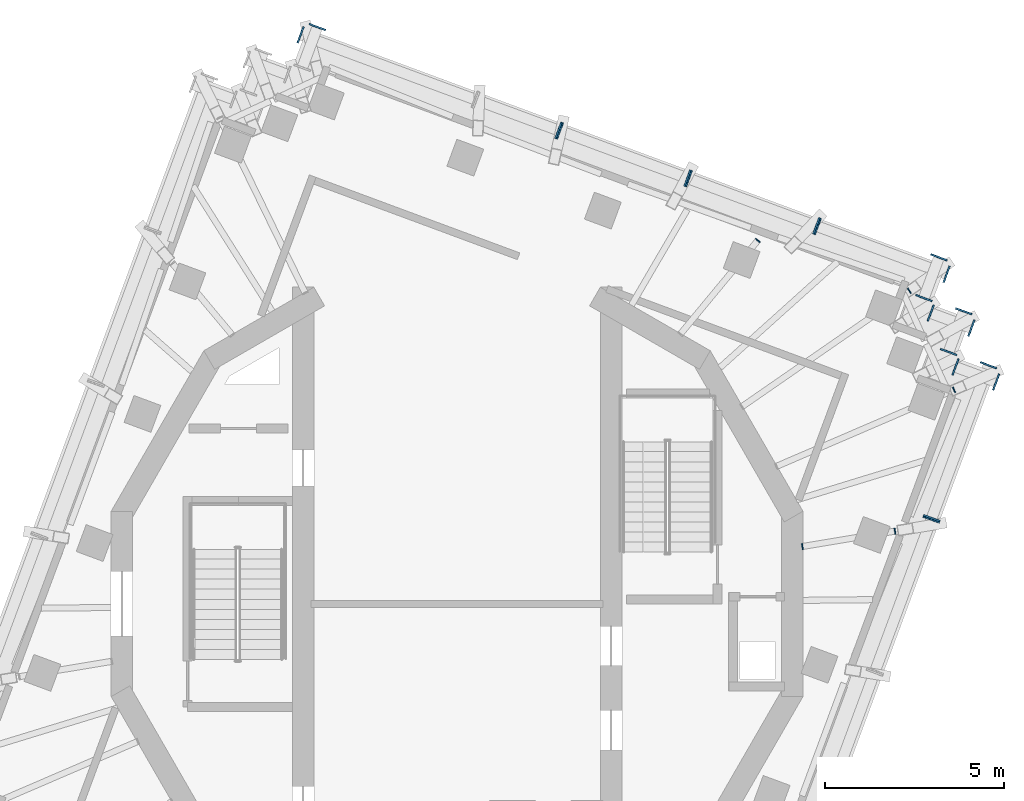
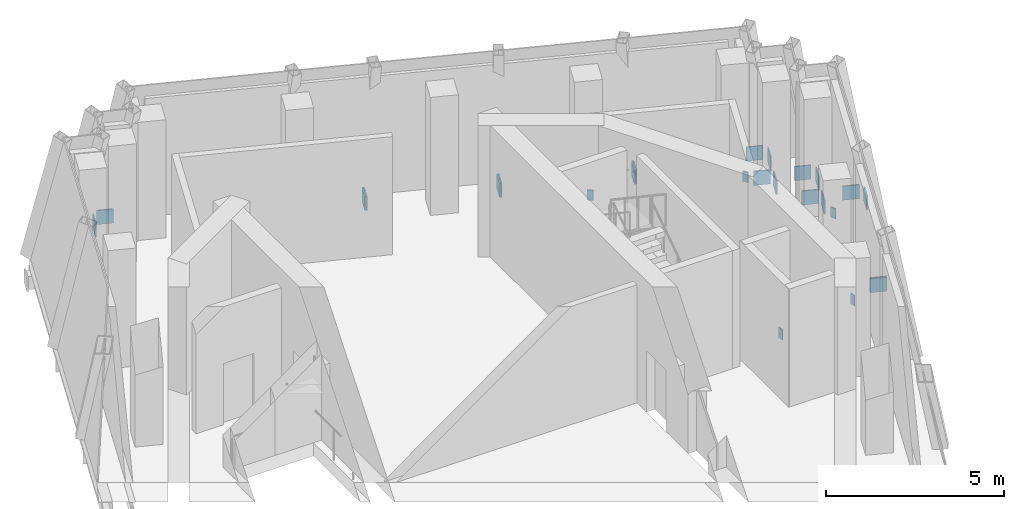
# One storey, part 10 of 11: 25 discrete accessories, 12 elements without a shape of their own.
"""IFC4 building model written with IfcOpenShell, lengths in metres."""

from ifc_helpers import new_model, si_unit, direction, frame, origin, place, context, subcontext, project, spatial, polyline, outline, extrude, material, layer, layer_set, type_object, element, aggregate, save


model = new_model("IFC4")

# Units and contexts
model_context = context("Model", 3, precision=1e-05, world=origin(), true_north=direction((0.0, 1.0)))
body_context = subcontext(model_context, "Body", "Model", "MODEL_VIEW")
ifc_project = project(units=[si_unit("LENGTHUNIT", "METRE"), si_unit("AREAUNIT", "SQUARE_METRE"), si_unit("VOLUMEUNIT", "CUBIC_METRE"), si_unit("PLANEANGLEUNIT", "RADIAN"), si_unit("MASSUNIT", "GRAM", prefix="KILO")], contexts=[model_context])

# Site, building, storey
site_placement = place(None, origin())
site = spatial("IfcSite", under=ifc_project, at=site_placement, CompositionType="ELEMENT")
building_placement = place(site_placement, origin())
building = spatial("IfcBuilding", under=site, at=building_placement, Name="Cantera Rosa Tower", CompositionType="ELEMENT")
storey_placement = place(building_placement, frame((0.0, 0.0, 365.199951171875)))
storey = spatial("IfcBuildingStorey", under=building, at=storey_placement, Name="L82", CompositionType="ELEMENT", Elevation=365.199951171875)

# Curtain wall, discrete accessories
ifc_material_1 = material(Name="Aluminium frame with clear glass", Category="aluminium")
curtain_wall_type = type_object("IfcCurtainWallType", Name="CW4 CROWN GLAZING", PredefinedType="NOTDEFINED", material=ifc_material_1)
curtain_wall_1_placement = place(storey_placement, origin())
curtain_wall_1 = element("IfcCurtainWall", 1, at=curtain_wall_1_placement, inside=storey, type_object=curtain_wall_type, Name="CW4 L82-01", PredefinedType="NOTDEFINED")
ifc_material_2 = material(Name="Steel S355J2 (EN 10025-2)", Category="steel")
ifc_layer = layer(ifc_material_2, 0.030029296875)
ifc_layer_set = layer_set([ifc_layer], Name="NODE PLATE 30")
discrete_accessory_type = type_object("IfcDiscreteAccessoryType", Name="NODE PLATE 30", PredefinedType="ANCHORPLATE", material=ifc_layer_set)
discrete_accessory_1_placement = place(storey_placement, frame((13.7734375, 9.425537109375, -0.43505859375), z_axis=(0.937742626232, -0.347330918501, 0.0), x_axis=(-0.347330918501, -0.937742626232, 0.0)))
discrete_accessory_1 = element("IfcDiscreteAccessory", 2, at=discrete_accessory_1_placement, type_object=discrete_accessory_type, Name="END PLATE TE0", PredefinedType="ANCHORPLATE", context=body_context, shape_type="SweptSolid", body=[
    extrude(outline(polyline([(0.0, 0.0), (0.4800840869406107, 0.0), (0.4800840869406107, 0.47998046875), (0.0, 0.47998046875), (0.0, 0.0)])), origin(), (0.0, 0.0, -1.0), 0.0400390625),
])
discrete_accessory_2_placement = place(storey_placement, frame((9.930908203125, 10.337646484375, -0.43505859375), z_axis=(-0.937681233018, 0.347496626235, 0.0), x_axis=(0.347496626235, 0.937681233018, 0.0)))
discrete_accessory_2 = element("IfcDiscreteAccessory", 3, at=discrete_accessory_2_placement, type_object=discrete_accessory_type, Name="END PLATE TE1", PredefinedType="ANCHORPLATE", context=body_context, shape_type="SweptSolid", body=[
    extrude(outline(polyline([(0.0, 0.0), (0.4798551533622547, 0.0), (0.4798551533622547, 0.47998046875), (0.0, 0.47998046875), (0.0, 0.0)])), origin(), (0.0, 0.0, -1.0), 0.0400390625),
])
aggregate(curtain_wall_1, [discrete_accessory_1, discrete_accessory_2])

curtain_wall_2_placement = place(storey_placement, origin())
curtain_wall_2 = element("IfcCurtainWall", 4, at=curtain_wall_2_placement, inside=storey, type_object=curtain_wall_type, Name="CW4 L82-02", PredefinedType="NOTDEFINED")
discrete_accessory_3_placement = place(storey_placement, frame((10.172607421875, 10.759765625, -0.43505859375), z_axis=(0.937681233018, -0.347496626235, 0.0), x_axis=(-0.347496626235, -0.937681233018, 0.0)))
discrete_accessory_3 = element("IfcDiscreteAccessory", 5, at=discrete_accessory_3_placement, type_object=discrete_accessory_type, Name="END PLATE TE0", PredefinedType="ANCHORPLATE", context=body_context, shape_type="SweptSolid", body=[
    extrude(outline(polyline([(0.0, 0.0), (0.4798551533622547, 0.0), (0.4798551533622547, 0.47998046875), (0.0, 0.47998046875), (0.0, 0.0)])), origin(), (0.0, 0.0, -1.0), 0.0400390625),
])
discrete_accessory_4_placement = place(storey_placement, frame((6.330322265625, 11.671875, -0.43505859375), z_axis=(-0.937742626232, 0.347330918501, 0.0), x_axis=(0.347330918501, 0.937742626232, 0.0)))
discrete_accessory_4 = element("IfcDiscreteAccessory", 6, at=discrete_accessory_4_placement, type_object=discrete_accessory_type, Name="END PLATE TE1", PredefinedType="ANCHORPLATE", context=body_context, shape_type="SweptSolid", body=[
    extrude(outline(polyline([(0.0, 0.0), (0.4800840869406107, 0.0), (0.4800840869406107, 0.47998046875), (0.0, 0.47998046875), (0.0, 0.0)])), origin(), (0.0, 0.0, -1.0), 0.0400390625),
])
aggregate(curtain_wall_2, [discrete_accessory_3, discrete_accessory_4])

curtain_wall_3_placement = place(storey_placement, origin())
curtain_wall_3 = element("IfcCurtainWall", 7, at=curtain_wall_3_placement, inside=storey, type_object=curtain_wall_type, Name="CW4 L82-03", PredefinedType="NOTDEFINED")
discrete_accessory_5_placement = place(storey_placement, frame((6.572021484375, 12.09423828125, -0.43505859375), z_axis=(0.937742626232, -0.347330918501, 0.0), x_axis=(-0.347330918501, -0.937742626232, 0.0)))
discrete_accessory_5 = element("IfcDiscreteAccessory", 8, at=discrete_accessory_5_placement, type_object=discrete_accessory_type, Name="END PLATE TE0", PredefinedType="ANCHORPLATE", context=body_context, shape_type="SweptSolid", body=[
    extrude(outline(polyline([(0.0, 0.0), (0.4800840869406107, 0.0), (0.4800840869406107, 0.47998046875), (0.0, 0.47998046875), (0.0, 0.0)])), origin(), (0.0, 0.0, -1.0), 0.0400390625),
])
discrete_accessory_6_placement = place(storey_placement, frame((2.7294921875, 13.006103515625, -0.43505859375), z_axis=(-0.937742626232, 0.347330918501, 0.0), x_axis=(0.347330918501, 0.937742626232, 0.0)))
discrete_accessory_6 = element("IfcDiscreteAccessory", 9, at=discrete_accessory_6_placement, type_object=discrete_accessory_type, Name="END PLATE TE1", PredefinedType="ANCHORPLATE", context=body_context, shape_type="SweptSolid", body=[
    extrude(outline(polyline([(0.0, 0.0), (0.4800840869406107, 0.0), (0.4800840869406107, 0.47998046875), (0.0, 0.47998046875), (0.0, 0.0)])), origin(), (0.0, 0.0, -1.0), 0.0400390625),
])
aggregate(curtain_wall_3, [discrete_accessory_5, discrete_accessory_6])

# Curtain wall, discrete accessory
curtain_wall_4_placement = place(storey_placement, origin())
curtain_wall_4 = element("IfcCurtainWall", 10, at=curtain_wall_4_placement, inside=storey, type_object=curtain_wall_type, Name="CW4 L82-04", PredefinedType="NOTDEFINED")
discrete_accessory_7_placement = place(storey_placement, frame((2.97119140625, 13.428466796875, -0.43505859375), z_axis=(0.937742626232, -0.347330918501, 0.0), x_axis=(-0.347330918501, -0.937742626232, 0.0)))
discrete_accessory_7 = element("IfcDiscreteAccessory", 11, at=discrete_accessory_7_placement, type_object=discrete_accessory_type, Name="END PLATE TE0", PredefinedType="ANCHORPLATE", context=body_context, shape_type="SweptSolid", body=[
    extrude(outline(polyline([(0.0, 0.0), (0.4800840869406107, 0.0), (0.4800840869406107, 0.47998046875), (0.0, 0.47998046875), (0.0, 0.0)])), origin(), (0.0, 0.0, -1.0), 0.0400390625),
])
aggregate(curtain_wall_4, [discrete_accessory_7])

curtain_wall_5_placement = place(storey_placement, origin())
curtain_wall_5 = element("IfcCurtainWall", 12, at=curtain_wall_5_placement, inside=storey, type_object=curtain_wall_type, Name="CW4 L82-05", PredefinedType="NOTDEFINED")
discrete_accessory_8_placement = place(storey_placement, frame((-4.471923828125, 15.6748046875, -0.43505859375), z_axis=(-0.937742626232, 0.347330918501, 0.0), x_axis=(0.347330918501, 0.937742626232, 0.0)))
discrete_accessory_8 = element("IfcDiscreteAccessory", 13, at=discrete_accessory_8_placement, type_object=discrete_accessory_type, Name="END PLATE TE1", PredefinedType="ANCHORPLATE", context=body_context, shape_type="SweptSolid", body=[
    extrude(outline(polyline([(0.0, 0.0), (0.4800840869406107, 0.0), (0.4800840869406107, 0.47998046875), (0.0, 0.47998046875), (0.0, 0.0)])), origin(), (0.0, 0.0, -1.0), 0.0400390625),
])
aggregate(curtain_wall_5, [discrete_accessory_8])

curtain_wall_6_placement = place(storey_placement, origin())
curtain_wall_6 = element("IfcCurtainWall", 14, at=curtain_wall_6_placement, inside=storey, type_object=curtain_wall_type, Name="CW4 L82-06", PredefinedType="NOTDEFINED")
discrete_accessory_9_placement = place(storey_placement, frame((-4.11962890625, 16.212890625, -0.43505859375), z_axis=(0.347496626235, 0.937681233018, 0.0), x_axis=(0.937681233018, -0.347496626235, 0.0)))
discrete_accessory_9 = element("IfcDiscreteAccessory", 15, at=discrete_accessory_9_placement, type_object=discrete_accessory_type, Name="END PLATE TE0", PredefinedType="ANCHORPLATE", context=body_context, shape_type="SweptSolid", body=[
    extrude(outline(polyline([(0.0, 0.0), (0.4798551533622547, 0.0), (0.4798551533622547, 0.47998046875), (0.0, 0.47998046875), (0.0, 0.0)])), origin(), (0.0, 0.0, -1.0), 0.0400390625),
])
aggregate(curtain_wall_6, [discrete_accessory_9])

curtain_wall_7_placement = place(storey_placement, origin())
curtain_wall_7 = element("IfcCurtainWall", 16, at=curtain_wall_7_placement, inside=storey, type_object=curtain_wall_type, Name="CW4 L82-31", PredefinedType="NOTDEFINED")
discrete_accessory_10_placement = place(storey_placement, frame((13.038818359375, 2.4970703125, -0.43505859375), z_axis=(0.347777987911, 0.937576914778, 0.0), x_axis=(0.937576914778, -0.347777987911, 0.0)))
discrete_accessory_10 = element("IfcDiscreteAccessory", 17, at=discrete_accessory_10_placement, type_object=discrete_accessory_type, Name="END PLATE TE1", PredefinedType="ANCHORPLATE", context=body_context, shape_type="SweptSolid", body=[
    extrude(outline(polyline([(0.0, 0.0), (0.4801689391068604, 0.0), (0.4801689391068604, 0.47998046875), (0.0, 0.47998046875), (0.0, 0.0)])), origin(), (0.0, 0.0, -1.0), 0.0400390625),
])
aggregate(curtain_wall_7, [discrete_accessory_10])

# Curtain wall, discrete accessories
curtain_wall_8_placement = place(storey_placement, origin())
curtain_wall_8 = element("IfcCurtainWall", 18, at=curtain_wall_8_placement, inside=storey, type_object=curtain_wall_type, Name="CW4 L82-32", PredefinedType="NOTDEFINED")
discrete_accessory_11_placement = place(storey_placement, frame((13.461181640625, 2.255126953125, -0.43505859375), z_axis=(-0.347330918501, -0.937742626232, 0.0), x_axis=(-0.937742626232, 0.347330918501, 0.0)))
discrete_accessory_11 = element("IfcDiscreteAccessory", 19, at=discrete_accessory_11_placement, type_object=discrete_accessory_type, Name="END PLATE TE0", PredefinedType="ANCHORPLATE", context=body_context, shape_type="SweptSolid", body=[
    extrude(outline(polyline([(0.0, 0.0), (0.4800840869406107, 0.0), (0.4800840869406107, 0.47998046875), (0.0, 0.47998046875), (0.0, 0.0)])), origin(), (0.0, 0.0, -1.0), 0.0400390625),
])
discrete_accessory_12_placement = place(storey_placement, frame((14.62158203125, 6.767822265625, -0.43505859375), z_axis=(0.347496626235, 0.937681233018, 0.0), x_axis=(0.937681233018, -0.347496626235, 0.0)))
discrete_accessory_12 = element("IfcDiscreteAccessory", 20, at=discrete_accessory_12_placement, type_object=discrete_accessory_type, Name="END PLATE TE1", PredefinedType="ANCHORPLATE", context=body_context, shape_type="SweptSolid", body=[
    extrude(outline(polyline([(0.0, 0.0), (0.4798551533622547, 0.0), (0.4798551533622547, 0.47998046875), (0.0, 0.47998046875), (0.0, 0.0)])), origin(), (0.0, 0.0, -1.0), 0.0400390625),
])
aggregate(curtain_wall_8, [discrete_accessory_11, discrete_accessory_12])

curtain_wall_9_placement = place(storey_placement, origin())
curtain_wall_9 = element("IfcCurtainWall", 21, at=curtain_wall_9_placement, inside=storey, type_object=curtain_wall_type, Name="CW4 L82-33", PredefinedType="NOTDEFINED")
discrete_accessory_13_placement = place(storey_placement, frame((15.1572265625, 6.415283203125, -0.43505859375), z_axis=(0.937681233018, -0.347496626235, 0.0), x_axis=(-0.347496626235, -0.937681233018, 0.0)))
discrete_accessory_13 = element("IfcDiscreteAccessory", 22, at=discrete_accessory_13_placement, type_object=discrete_accessory_type, Name="END PLATE TE0", PredefinedType="ANCHORPLATE", context=body_context, shape_type="SweptSolid", body=[
    extrude(outline(polyline([(0.0, 0.0), (0.4798551533622547, 0.0), (0.4798551533622547, 0.47998046875), (0.0, 0.47998046875), (0.0, 0.0)])), origin(), (0.0, 0.0, -1.0), 0.0400390625),
])
discrete_accessory_14_placement = place(storey_placement, frame((13.817626953125, 6.39990234375, -0.43505859375), z_axis=(-0.937742626232, 0.347330918501, 0.0), x_axis=(0.347330918501, 0.937742626232, 0.0)))
discrete_accessory_14 = element("IfcDiscreteAccessory", 23, at=discrete_accessory_14_placement, type_object=discrete_accessory_type, Name="END PLATE TE1", PredefinedType="ANCHORPLATE", context=body_context, shape_type="SweptSolid", body=[
    extrude(outline(polyline([(0.0, 0.0), (0.4800840869406107, 0.0), (0.4800840869406107, 0.47998046875), (0.0, 0.47998046875), (0.0, 0.0)])), origin(), (0.0, 0.0, -1.0), 0.0400390625),
])
aggregate(curtain_wall_9, [discrete_accessory_13, discrete_accessory_14])

curtain_wall_10_placement = place(storey_placement, origin())
curtain_wall_10 = element("IfcCurtainWall", 24, at=curtain_wall_10_placement, inside=storey, type_object=curtain_wall_type, Name="CW4 L82-34", PredefinedType="NOTDEFINED")
discrete_accessory_15_placement = place(storey_placement, frame((13.9462890625, 6.93408203125, -0.43505859375), z_axis=(-0.347330918501, -0.937742626232, 0.0), x_axis=(-0.937742626232, 0.347330918501, 0.0)))
discrete_accessory_15 = element("IfcDiscreteAccessory", 25, at=discrete_accessory_15_placement, type_object=discrete_accessory_type, Name="END PLATE TE0", PredefinedType="ANCHORPLATE", context=body_context, shape_type="SweptSolid", body=[
    extrude(outline(polyline([(0.0, 0.0), (0.4800840869406107, 0.0), (0.4800840869406107, 0.47998046875), (0.0, 0.47998046875), (0.0, 0.0)])), origin(), (0.0, 0.0, -1.0), 0.0400390625),
])
discrete_accessory_16_placement = place(storey_placement, frame((13.930908203125, 8.273681640625, -0.43505859375), z_axis=(0.347496626235, 0.937681233018, 0.0), x_axis=(0.937681233018, -0.347496626235, 0.0)))
discrete_accessory_16 = element("IfcDiscreteAccessory", 26, at=discrete_accessory_16_placement, type_object=discrete_accessory_type, Name="END PLATE TE1", PredefinedType="ANCHORPLATE", context=body_context, shape_type="SweptSolid", body=[
    extrude(outline(polyline([(0.0, 0.0), (0.4798551533622547, 0.0), (0.4798551533622547, 0.47998046875), (0.0, 0.47998046875), (0.0, 0.0)])), origin(), (0.0, 0.0, -1.0), 0.0400390625),
])
aggregate(curtain_wall_10, [discrete_accessory_15, discrete_accessory_16])

curtain_wall_11_placement = place(storey_placement, origin())
curtain_wall_11 = element("IfcCurtainWall", 27, at=curtain_wall_11_placement, inside=storey, type_object=curtain_wall_type, Name="CW4 L82-35", PredefinedType="NOTDEFINED")
discrete_accessory_17_placement = place(storey_placement, frame((14.46533203125, 7.92041015625, -0.43505859375), z_axis=(0.937681233018, -0.347496626235, 0.0), x_axis=(-0.347496626235, -0.937681233018, 0.0)))
discrete_accessory_17 = element("IfcDiscreteAccessory", 28, at=discrete_accessory_17_placement, type_object=discrete_accessory_type, Name="END PLATE TE0", PredefinedType="ANCHORPLATE", context=body_context, shape_type="SweptSolid", body=[
    extrude(outline(polyline([(0.0, 0.0), (0.4798551533622547, 0.0), (0.4798551533622547, 0.47998046875), (0.0, 0.47998046875), (0.0, 0.0)])), origin(), (0.0, 0.0, -1.0), 0.0400390625),
])
discrete_accessory_18_placement = place(storey_placement, frame((13.12548828125, 7.905029296875, -0.43505859375), z_axis=(-0.937576914778, 0.347777987911, 0.0), x_axis=(0.347777987911, 0.937576914778, 0.0)))
discrete_accessory_18 = element("IfcDiscreteAccessory", 29, at=discrete_accessory_18_placement, type_object=discrete_accessory_type, Name="END PLATE TE1", PredefinedType="ANCHORPLATE", context=body_context, shape_type="SweptSolid", body=[
    extrude(outline(polyline([(0.0, 0.0), (0.4801689391068604, 0.0), (0.4801689391068604, 0.47998046875), (0.0, 0.47998046875), (0.0, 0.0)])), origin(), (0.0, 0.0, -1.0), 0.0400390625),
])
aggregate(curtain_wall_11, [discrete_accessory_17, discrete_accessory_18])

curtain_wall_12_placement = place(storey_placement, origin())
curtain_wall_12 = element("IfcCurtainWall", 30, at=curtain_wall_12_placement, inside=storey, type_object=curtain_wall_type, Name="CW4 L82-36", PredefinedType="NOTDEFINED")
discrete_accessory_19_placement = place(storey_placement, frame((13.25537109375, 8.43994140625, -0.43505859375), z_axis=(-0.347496626235, -0.937681233018, 0.0), x_axis=(-0.937681233018, 0.347496626235, 0.0)))
discrete_accessory_19 = element("IfcDiscreteAccessory", 31, at=discrete_accessory_19_placement, type_object=discrete_accessory_type, Name="END PLATE TE0", PredefinedType="ANCHORPLATE", context=body_context, shape_type="SweptSolid", body=[
    extrude(outline(polyline([(0.0, 0.0), (0.4798551533622547, 0.0), (0.4798551533622547, 0.47998046875), (0.0, 0.47998046875), (0.0, 0.0)])), origin(), (0.0, 0.0, -1.0), 0.0400390625),
])
discrete_accessory_20_placement = place(storey_placement, frame((13.239990234375, 9.780029296875, -0.43505859375), z_axis=(0.347777987911, 0.937576914778, 0.0), x_axis=(0.937576914778, -0.347777987911, 0.0)))
discrete_accessory_20 = element("IfcDiscreteAccessory", 32, at=discrete_accessory_20_placement, type_object=discrete_accessory_type, Name="END PLATE TE1", PredefinedType="ANCHORPLATE", context=body_context, shape_type="SweptSolid", body=[
    extrude(outline(polyline([(0.0, 0.0), (0.4801689391068604, 0.0), (0.4801689391068604, 0.47998046875), (0.0, 0.47998046875), (0.0, 0.0)])), origin(), (0.0, 0.0, -1.0), 0.0400390625),
])
aggregate(curtain_wall_12, [discrete_accessory_19, discrete_accessory_20])

# Discrete accessories
discrete_accessory_21_placement = place(storey_placement, frame((0.0, 0.0, -0.805908203125)))
element("IfcDiscreteAccessory", 33, at=discrete_accessory_21_placement, inside=storey, type_object=discrete_accessory_type, Name="END PLATE CG-Z6-01 L82 A", PredefinedType="ANCHORPLATE", context=body_context, shape_type="SweptSolid", body=[
    extrude(outline(polyline([(12.569091796875, 8.806884765625), (12.59375, 8.823974609375), (12.69091796875, 8.683349609375), (12.666259765625, 8.666259765625), (12.569091796875, 8.806884765625)])), origin(), (0.0, 0.0, 1.0), 0.35595703125),
])
discrete_accessory_22_placement = place(storey_placement, frame((0.0, 0.0, -0.805908203125)))
element("IfcDiscreteAccessory", 34, at=discrete_accessory_22_placement, inside=storey, type_object=discrete_accessory_type, Name="END PLATE CG-Z6-02 L82 A", PredefinedType="ANCHORPLATE", context=body_context, shape_type="SweptSolid", body=[
    extrude(outline(polyline([(8.322998046875, 10.1923828125), (8.342041015625, 10.21533203125), (8.473876953125, 10.1064453125), (8.45458984375, 10.083251953125), (8.322998046875, 10.1923828125)])), origin(), (0.0, 0.0, 1.0), 0.35595703125),
])
discrete_accessory_23_placement = place(storey_placement, frame((0.0, 0.0, -0.805908203125)))
element("IfcDiscreteAccessory", 35, at=discrete_accessory_23_placement, inside=storey, type_object=discrete_accessory_type, Name="END PLATE CG-Z6-11 L82 A", PredefinedType="ANCHORPLATE", context=body_context, shape_type="SweptSolid", body=[
    extrude(outline(polyline([(12.199462890625, 2.11474609375), (12.229248046875, 2.11962890625), (12.25732421875, 1.950927734375), (12.2275390625, 1.946044921875), (12.199462890625, 2.11474609375)])), origin(), (0.0, 0.0, 1.0), 0.35595703125),
])
discrete_accessory_24_placement = place(storey_placement, frame((0.0, 0.0, -0.805908203125)))
element("IfcDiscreteAccessory", 36, at=discrete_accessory_24_placement, inside=storey, type_object=discrete_accessory_type, Name="END PLATE CG-Z6-11 L82 B", PredefinedType="ANCHORPLATE", context=body_context, shape_type="SweptSolid", body=[
    extrude(outline(polyline([(9.67333984375, 1.521484375), (9.643798828125, 1.5166015625), (9.61572265625, 1.685302734375), (9.645263671875, 1.690185546875), (9.67333984375, 1.521484375)])), origin(), (0.0, 0.0, 1.0), 0.35595703125),
])
discrete_accessory_25_placement = place(storey_placement, frame((0.0, 0.0, -0.805908203125)))
element("IfcDiscreteAccessory", 37, at=discrete_accessory_25_placement, inside=storey, type_object=discrete_accessory_type, Name="END PLATE CG-Z6-12 L82 A", PredefinedType="ANCHORPLATE", context=body_context, shape_type="SweptSolid", body=[
    extrude(outline(polyline([(13.832763671875, 6.05078125), (13.8603515625, 6.0625), (13.927978515625, 5.905517578125), (13.900390625, 5.8935546875), (13.832763671875, 6.05078125)])), origin(), (0.0, 0.0, 1.0), 0.35595703125),
])

save(model, "model.ifc")
